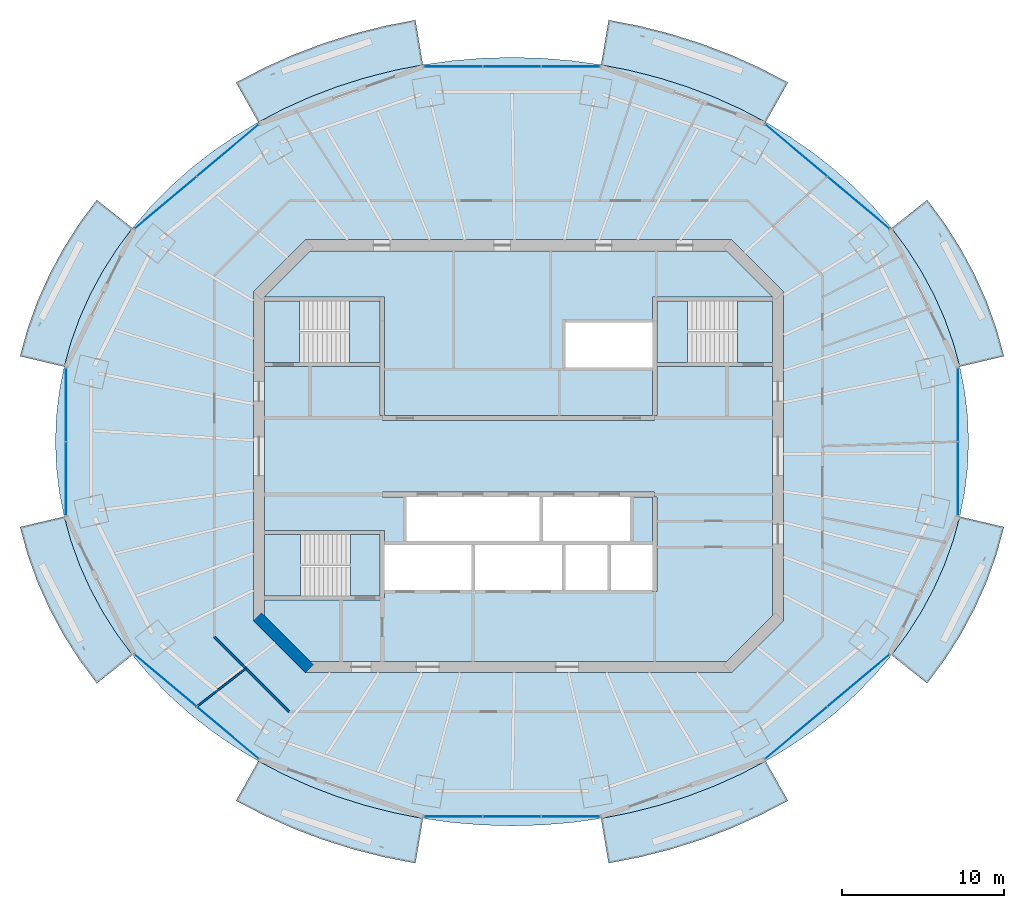
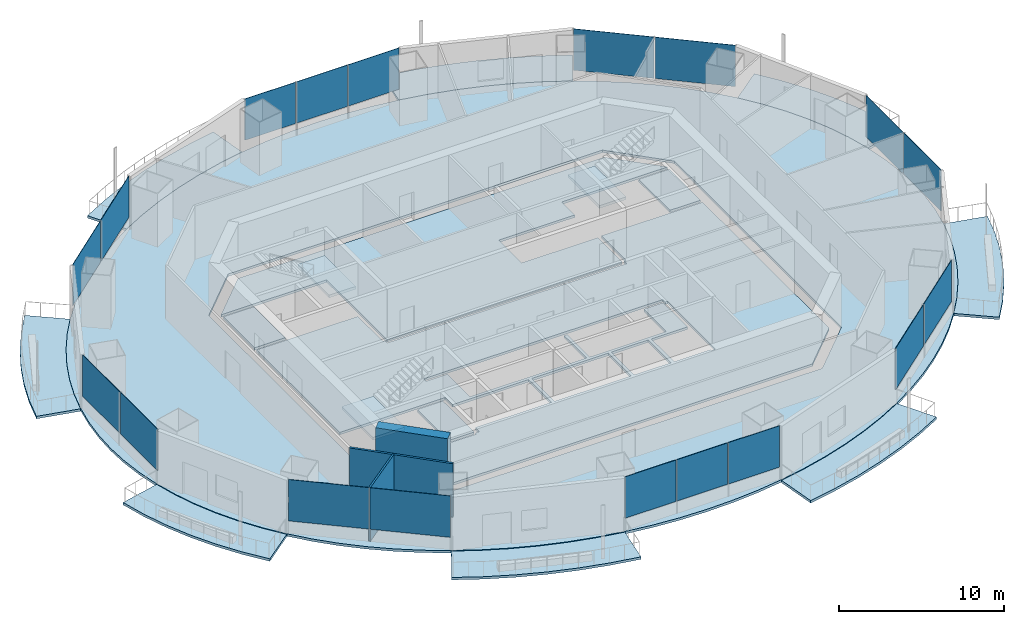
# One storey, part 7 of 16: 18 plates, 17 slabs, 3 walls, 11 elements without a shape of their own.
"""IFC4 building model written with IfcOpenShell, lengths in metres."""

from ifc_helpers import new_model, si_unit, direction, frame, frame_2d, origin, origin_2d, place, context, subcontext, project, spatial, polyline, rectangle, outline, extrude, material, layer, layer_set, type_object, element, aggregate, save


model = new_model("IFC4")

# Units and contexts
model_context = context("Model", 3, precision=1e-05, world=origin(), true_north=direction((0.0, 1.0)))
body_context = subcontext(model_context, "Body", "Model", "MODEL_VIEW")
ifc_project = project(units=[si_unit("LENGTHUNIT", "METRE"), si_unit("AREAUNIT", "SQUARE_METRE"), si_unit("VOLUMEUNIT", "CUBIC_METRE"), si_unit("PLANEANGLEUNIT", "RADIAN"), si_unit("MASSUNIT", "GRAM", prefix="KILO")], contexts=[model_context])

# Site, building, storey
site_placement = place(None, origin())
site = spatial("IfcSite", under=ifc_project, at=site_placement, CompositionType="ELEMENT")
building_placement = place(site_placement, origin())
building = spatial("IfcBuilding", under=site, at=building_placement, Name="Marenthal Gate Tower", CompositionType="ELEMENT")
storey_placement = place(building_placement, frame((0.0, 0.0, 313.550048828125)))
storey = spatial("IfcBuildingStorey", under=building, at=storey_placement, Name="L70", CompositionType="ELEMENT", Elevation=313.550048828125)

# Slabs
ifc_material_1 = material(Name="Concrete 40 MPa", Category="concrete")
ifc_layer_1 = layer(ifc_material_1, 0.179931640625)
ifc_layer_set_1 = layer_set([ifc_layer_1], Name="Balcony deck 180")
slab_type_1 = type_object("IfcSlabType", Name="Balcony deck 180", PredefinedType="USERDEFINED", material=ifc_layer_set_1)
slab_1_placement = place(storey_placement, frame((0.0, 0.0, -0.219970703125)))
element("IfcSlab", 1, at=slab_1_placement, inside=storey, type_object=slab_type_1, Name="Balcony deck L70 bay 1", ObjectType="BALCONY", PredefinedType="USERDEFINED", context=body_context, shape_type="SweptSolid", body=[
    extrude(outline(polyline([(27.212890625, 5.522216796875), (26.794677734375, 7.031982421875), (26.260009765625, 8.515380859375), (25.61083984375, 9.966552734375), (24.8505859375, 11.378662109375), (23.982177734375, 12.74609375), (23.00927734375, 14.0625), (25.201904296875, 15.8037109375), (26.291015625, 14.330078125), (27.266357421875, 12.79443359375), (28.123046875, 11.203125), (28.856689453125, 9.56298828125), (29.462646484375, 7.88134765625), (29.93798828125, 6.166259765625), (27.212890625, 5.522216796875)])), origin(), (0.0, 0.0, 1.0), 0.179931640625),
])
slab_2_placement = place(storey_placement, frame((0.0, 0.0, -0.219970703125)))
element("IfcSlab", 2, at=slab_2_placement, inside=storey, type_object=slab_type_1, Name="Balcony deck L70 bay 3", ObjectType="BALCONY", PredefinedType="USERDEFINED", context=body_context, shape_type="SweptSolid", body=[
    extrude(outline(polyline([(15.241455078125, 20.59912109375), (13.677001953125, 21.41796875), (12.05224609375, 22.148681640625), (10.3740234375, 22.78857421875), (8.64990234375, 23.334716796875), (6.88671875, 23.78466796875), (5.092529296875, 24.13671875), (5.554931640625, 26.8984375), (7.502685546875, 26.51611328125), (9.4189453125, 26.027099609375), (11.295654296875, 25.4326171875), (13.12548828125, 24.73486328125), (14.900634765625, 23.936279296875), (16.61376953125, 23.039794921875), (15.241455078125, 20.59912109375)])), origin(), (0.0, 0.0, 1.0), 0.179931640625),
])
slab_3_placement = place(storey_placement, frame((0.0, 0.0, -0.219970703125)))
element("IfcSlab", 3, at=slab_3_placement, inside=storey, type_object=slab_type_1, Name="Balcony deck L70 bay 5", ObjectType="BALCONY", PredefinedType="USERDEFINED", context=body_context, shape_type="SweptSolid", body=[
    extrude(outline(polyline([(-5.892578125, 24.13671875), (-7.686767578125, 23.78466796875), (-9.44970703125, 23.334716796875), (-11.174072265625, 22.78857421875), (-12.852294921875, 22.148681640625), (-14.47705078125, 21.41796875), (-16.04150390625, 20.59912109375), (-17.413818359375, 23.039794921875), (-15.70068359375, 23.936279296875), (-13.925537109375, 24.73486328125), (-12.095703125, 25.4326171875), (-10.21875, 26.027099609375), (-8.302734375, 26.51611328125), (-6.354736328125, 26.8984375), (-5.892578125, 24.13671875)])), origin(), (0.0, 0.0, 1.0), 0.179931640625),
])
slab_4_placement = place(storey_placement, frame((0.0, 0.0, -0.219970703125)))
element("IfcSlab", 4, at=slab_4_placement, inside=storey, type_object=slab_type_1, Name="Balcony deck L70 bay 7", ObjectType="BALCONY", PredefinedType="USERDEFINED", context=body_context, shape_type="SweptSolid", body=[
    extrude(outline(polyline([(-23.80908203125, 14.0625), (-24.781982421875, 12.74609375), (-25.650634765625, 11.378662109375), (-26.410888671875, 9.966552734375), (-27.059814453125, 8.515380859375), (-27.5947265625, 7.031982421875), (-28.012939453125, 5.522216796875), (-30.73779296875, 6.166259765625), (-30.2626953125, 7.88134765625), (-29.656494140625, 9.56298828125), (-28.923095703125, 11.203125), (-28.06640625, 12.79443359375), (-27.091064453125, 14.330078125), (-26.001953125, 15.8037109375), (-23.80908203125, 14.0625)])), origin(), (0.0, 0.0, 1.0), 0.179931640625),
])
slab_5_placement = place(storey_placement, frame((0.0, 0.0, -0.219970703125)))
element("IfcSlab", 5, at=slab_5_placement, inside=storey, type_object=slab_type_1, Name="Balcony deck L70 bay 9", ObjectType="BALCONY", PredefinedType="USERDEFINED", context=body_context, shape_type="SweptSolid", body=[
    extrude(outline(polyline([(-28.012939453125, -3.72216796875), (-27.5947265625, -5.23193359375), (-27.059814453125, -6.715576171875), (-26.410888671875, -8.16650390625), (-25.650634765625, -9.57861328125), (-24.781982421875, -10.946044921875), (-23.80908203125, -12.2626953125), (-26.001953125, -14.003662109375), (-27.091064453125, -12.530029296875), (-28.06640625, -10.994384765625), (-28.923095703125, -9.403076171875), (-29.656494140625, -7.762939453125), (-30.2626953125, -6.08154296875), (-30.73779296875, -4.3662109375), (-28.012939453125, -3.72216796875)])), origin(), (0.0, 0.0, 1.0), 0.179931640625),
])
slab_6_placement = place(storey_placement, frame((0.0, 0.0, -0.219970703125)))
element("IfcSlab", 6, at=slab_6_placement, inside=storey, type_object=slab_type_1, Name="Balcony deck L70 bay 11", ObjectType="BALCONY", PredefinedType="USERDEFINED", context=body_context, shape_type="SweptSolid", body=[
    extrude(outline(polyline([(-16.04150390625, -18.79931640625), (-14.47705078125, -19.617919921875), (-12.852294921875, -20.3486328125), (-11.174072265625, -20.988525390625), (-9.44970703125, -21.53466796875), (-7.686767578125, -21.984619140625), (-5.892578125, -22.3369140625), (-6.354736328125, -25.098388671875), (-8.302734375, -24.716064453125), (-10.21875, -24.22705078125), (-12.095703125, -23.632568359375), (-13.925537109375, -22.934814453125), (-15.70068359375, -22.136474609375), (-17.413818359375, -21.23974609375), (-16.04150390625, -18.79931640625)])), origin(), (0.0, 0.0, 1.0), 0.179931640625),
])
slab_7_placement = place(storey_placement, frame((0.0, 0.0, -0.219970703125)))
element("IfcSlab", 7, at=slab_7_placement, inside=storey, type_object=slab_type_1, Name="Balcony deck L70 bay 13", ObjectType="BALCONY", PredefinedType="USERDEFINED", context=body_context, shape_type="SweptSolid", body=[
    extrude(outline(polyline([(5.092529296875, -22.3369140625), (6.88671875, -21.984619140625), (8.64990234375, -21.53466796875), (10.3740234375, -20.988525390625), (12.05224609375, -20.3486328125), (13.677001953125, -19.617919921875), (15.241455078125, -18.79931640625), (16.61376953125, -21.23974609375), (14.900634765625, -22.136474609375), (13.12548828125, -22.934814453125), (11.295654296875, -23.632568359375), (9.4189453125, -24.22705078125), (7.502685546875, -24.716064453125), (5.554931640625, -25.098388671875), (5.092529296875, -22.3369140625)])), origin(), (0.0, 0.0, 1.0), 0.179931640625),
])
slab_8_placement = place(storey_placement, frame((0.0, 0.0, -0.219970703125)))
element("IfcSlab", 8, at=slab_8_placement, inside=storey, type_object=slab_type_1, Name="Balcony deck L70 bay 15", ObjectType="BALCONY", PredefinedType="USERDEFINED", context=body_context, shape_type="SweptSolid", body=[
    extrude(outline(polyline([(23.00927734375, -12.2626953125), (23.982177734375, -10.946044921875), (24.8505859375, -9.57861328125), (25.61083984375, -8.16650390625), (26.260009765625, -6.715576171875), (26.794677734375, -5.23193359375), (27.212890625, -3.72216796875), (29.93798828125, -4.3662109375), (29.462646484375, -6.08154296875), (28.856689453125, -7.762939453125), (28.123046875, -9.403076171875), (27.266357421875, -10.994384765625), (26.291015625, -12.530029296875), (25.201904296875, -14.003662109375), (23.00927734375, -12.2626953125)])), origin(), (0.0, 0.0, 1.0), 0.179931640625),
])
ifc_material_2 = material(Name="Concrete 50 MPa", Category="concrete")
ifc_layer_2 = layer(ifc_material_2, 0.179931640625)
ifc_layer_set_2 = layer_set([ifc_layer_2], Name="Core floor slab 180")
slab_type_2 = type_object("IfcSlabType", Name="Core floor slab 180", PredefinedType="FLOOR", material=ifc_layer_set_2)
slab_9_placement = place(storey_placement, frame((0.0, 0.0, -0.179931640625)))
element("IfcSlab", 9, at=slab_9_placement, inside=storey, type_object=slab_type_2, Name="Core floor L70", PredefinedType="FLOOR", context=body_context, shape_type="SweptSolid", body=[
    extrude(outline(polyline([(12.85498046875, -12.64990234375), (-12.85498046875, -12.64990234375), (-15.64990234375, -9.85498046875), (-15.64990234375, -8.875), (-8.550048828125, -8.875), (-8.550048828125, -8.75), (-8.25, -8.75), (-8.25, -8.239990234375), (-5.60009765625, -8.239990234375), (-2.909912109375, -8.239990234375), (-2.909912109375, -5.4599609375), (-5.60009765625, -5.4599609375), (-8.25, -5.4599609375), (-8.25, -4.574951171875), (-8.550048828125, -4.574951171875), (-15.64990234375, -4.574951171875), (-15.64990234375, 5.52490234375), (-8.550048828125, 5.52490234375), (-8.550048828125, 2.5), (-8.39990234375, 2.5), (-8.39990234375, 2.199951171875), (8.39990234375, 2.199951171875), (8.39990234375, 2.5), (8.550048828125, 2.5), (8.550048828125, 5.52490234375), (15.64990234375, 5.52490234375), (15.64990234375, -9.85498046875), (12.85498046875, -12.64990234375)]), holes=[polyline([(0.0, -8.239990234375), (2.68994140625, -8.239990234375), (2.68994140625, -5.4599609375), (0.0, -5.4599609375), (-2.68994140625, -5.4599609375), (-2.68994140625, -8.239990234375), (0.0, -8.239990234375)]), polyline([(1.2900390625, -5.239990234375), (1.2900390625, -2.5), (1.510009765625, -2.5), (1.510009765625, -5.239990234375), (4.199951171875, -5.239990234375), (6.889892578125, -5.239990234375), (6.889892578125, -2.5), (8.25, -2.5), (8.25, -5.4599609375), (5.7099609375, -5.4599609375), (5.7099609375, -8.239990234375), (8.25, -8.239990234375), (8.25, -8.35009765625), (8.550048828125, -8.35009765625), (8.550048828125, -2.5), (8.39990234375, -2.5), (8.39990234375, -2.199951171875), (-8.39990234375, -2.199951171875), (-8.39990234375, -2.5), (-6.889892578125, -2.5), (-6.889892578125, -5.239990234375), (-4.199951171875, -5.239990234375), (-1.39990234375, -5.239990234375), (1.2900390625, -5.239990234375)]), polyline([(5.489990234375, -5.4599609375), (2.909912109375, -5.4599609375), (2.909912109375, -8.239990234375), (5.489990234375, -8.239990234375), (5.489990234375, -5.4599609375)])]), origin(), (0.0, 0.0, 1.0), 0.179931640625),
])
slab_10_placement = place(storey_placement, frame((0.0, 0.0, -0.179931640625)))
element("IfcSlab", 10, at=slab_10_placement, inside=storey, type_object=slab_type_2, Name="Core floor L70", PredefinedType="FLOOR", context=body_context, shape_type="SweptSolid", body=[
    extrude(outline(polyline([(15.64990234375, 5.77490234375), (13.5, 5.77490234375), (13.5, 9.574951171875), (15.64990234375, 9.574951171875), (15.64990234375, 5.77490234375)])), origin(), (0.0, 0.0, 1.0), 0.179931640625),
])
slab_11_placement = place(storey_placement, frame((0.0, 0.0, -0.179931640625)))
element("IfcSlab", 11, at=slab_11_placement, inside=storey, type_object=slab_type_2, Name="Core floor L70", PredefinedType="FLOOR", context=body_context, shape_type="SweptSolid", body=[
    extrude(outline(polyline([(15.64990234375, 9.824951171875), (8.550048828125, 9.824951171875), (8.25, 9.824951171875), (8.25, 8.35009765625), (8.25, 8.239990234375), (5.60009765625, 8.239990234375), (2.909912109375, 8.239990234375), (2.909912109375, 5.4599609375), (5.60009765625, 5.4599609375), (8.25, 5.4599609375), (8.25, 2.5), (-8.25, 2.5), (-8.25, 8.35009765625), (-8.25, 9.824951171875), (-8.550048828125, 9.824951171875), (-15.64990234375, 9.824951171875), (-15.64990234375, 9.85498046875), (-12.85498046875, 12.64990234375), (12.85498046875, 12.64990234375), (15.64990234375, 9.85498046875), (15.64990234375, 9.824951171875)])), origin(), (0.0, 0.0, 1.0), 0.179931640625),
])
slab_12_placement = place(storey_placement, frame((0.0, 0.0, -0.179931640625)))
element("IfcSlab", 12, at=slab_12_placement, inside=storey, type_object=slab_type_2, Name="Core floor L70", PredefinedType="FLOOR", context=body_context, shape_type="SweptSolid", body=[
    extrude(outline(polyline([(-15.64990234375, 9.574951171875), (-13.5, 9.574951171875), (-13.5, 5.77490234375), (-15.64990234375, 5.77490234375), (-15.64990234375, 9.574951171875)])), origin(), (0.0, 0.0, 1.0), 0.179931640625),
])
slab_13_placement = place(storey_placement, frame((0.0, 0.0, -0.179931640625)))
element("IfcSlab", 13, at=slab_13_placement, inside=storey, type_object=slab_type_2, Name="Core floor L70", PredefinedType="FLOOR", context=body_context, shape_type="SweptSolid", body=[
    extrude(outline(polyline([(-8.550048828125, -4.824951171875), (-8.550048828125, -8.625), (-10.35009765625, -8.625), (-10.35009765625, -4.824951171875), (-8.550048828125, -4.824951171875)])), origin(), (0.0, 0.0, 1.0), 0.179931640625),
])
ifc_material_3 = material(Name="Concrete 35 MPa", Category="concrete")
ifc_layer_3 = layer(ifc_material_3, 0.179931640625)
ifc_layer_set_3 = layer_set([ifc_layer_3], Name="Floor slab 180")
slab_type_3 = type_object("IfcSlabType", Name="Floor slab 180", PredefinedType="FLOOR", material=ifc_layer_set_3)
slab_14_placement = place(storey_placement, frame((0.0, 0.0, -0.179931640625)))
element("IfcSlab", 14, at=slab_14_placement, inside=storey, type_object=slab_type_3, Name="SL-L70-01", PredefinedType="FLOOR", context=body_context, shape_type="SweptSolid", body=[
    extrude(outline(polyline([(27.75390625, 0.89990234375), (27.693603515625, 2.449462890625), (27.51318359375, 3.992431640625), (27.212890625, 5.522216796875), (26.794677734375, 7.031982421875), (26.260009765625, 8.515380859375), (25.61083984375, 9.966552734375), (24.8505859375, 11.378662109375), (23.982177734375, 12.74609375), (23.00927734375, 14.0625), (21.93603515625, 15.32275390625), (20.767333984375, 16.521240234375), (19.5078125, 17.65283203125), (18.1630859375, 18.712646484375), (16.739013671875, 19.696044921875), (15.241455078125, 20.59912109375), (13.677001953125, 21.41796875), (12.05224609375, 22.148681640625), (10.3740234375, 22.78857421875), (8.64990234375, 23.334716796875), (6.88671875, 23.78466796875), (5.092529296875, 24.13671875), (3.27490234375, 24.389404296875), (1.44140625, 24.541259765625), (-0.39990234375, 24.592041015625), (-2.241455078125, 24.541259765625), (-4.07470703125, 24.389404296875), (-5.892578125, 24.13671875), (-7.686767578125, 23.78466796875), (-9.44970703125, 23.334716796875), (-11.174072265625, 22.78857421875), (-12.852294921875, 22.148681640625), (-14.47705078125, 21.41796875), (-16.04150390625, 20.59912109375), (-17.5390625, 19.696044921875), (-18.963134765625, 18.712646484375), (-20.307861328125, 17.65283203125), (-21.5673828125, 16.521240234375), (-22.736083984375, 15.32275390625), (-23.80908203125, 14.0625), (-24.781982421875, 12.74609375), (-25.650634765625, 11.378662109375), (-26.410888671875, 9.966552734375), (-27.059814453125, 8.515380859375), (-27.5947265625, 7.031982421875), (-28.012939453125, 5.522216796875), (-28.31298828125, 3.992431640625), (-28.49365234375, 2.449462890625), (-28.553955078125, 0.89990234375), (-28.49365234375, -0.6494140625), (-28.31298828125, -2.1923828125), (-28.012939453125, -3.72216796875), (-27.5947265625, -5.23193359375), (-27.059814453125, -6.715576171875), (-26.410888671875, -8.16650390625), (-25.650634765625, -9.57861328125), (-24.781982421875, -10.946044921875), (-23.80908203125, -12.2626953125), (-22.736083984375, -13.522705078125), (-21.5673828125, -14.72119140625), (-20.307861328125, -15.852783203125), (-18.963134765625, -16.91259765625), (-17.5390625, -17.89599609375), (-16.04150390625, -18.79931640625), (-14.47705078125, -19.617919921875), (-12.852294921875, -20.3486328125), (-11.174072265625, -20.988525390625), (-9.44970703125, -21.53466796875), (-7.686767578125, -21.984619140625), (-5.892578125, -22.3369140625), (-4.07470703125, -22.58935546875), (-2.241455078125, -22.7412109375), (-0.39990234375, -22.7919921875), (1.44140625, -22.7412109375), (3.27490234375, -22.58935546875), (5.092529296875, -22.3369140625), (6.88671875, -21.984619140625), (8.64990234375, -21.53466796875), (10.3740234375, -20.988525390625), (12.05224609375, -20.3486328125), (13.677001953125, -19.617919921875), (15.241455078125, -18.79931640625), (16.739013671875, -17.89599609375), (18.1630859375, -16.91259765625), (19.5078125, -15.852783203125), (20.767333984375, -14.72119140625), (21.93603515625, -13.522705078125), (23.00927734375, -12.2626953125), (23.982177734375, -10.946044921875), (24.8505859375, -9.57861328125), (25.61083984375, -8.16650390625), (26.260009765625, -6.715576171875), (26.794677734375, -5.23193359375), (27.212890625, -3.72216796875), (27.51318359375, -2.1923828125), (27.693603515625, -0.6494140625), (27.75390625, 0.89990234375)]), holes=[polyline([(13.14501953125, -13.35009765625), (16.35009765625, -10.14501953125), (16.35009765625, 10.14501953125), (13.14501953125, 13.35009765625), (-13.14501953125, 13.35009765625), (-16.35009765625, 10.14501953125), (-16.35009765625, -10.14501953125), (-13.14501953125, -13.35009765625), (13.14501953125, -13.35009765625)])]), origin(), (0.0, 0.0, 1.0), 0.179931640625),
])

# Curtain wall, plates
ifc_material_4 = material(Name="Aluminium and glass", Category="aluminium")
curtain_wall_type = type_object("IfcCurtainWallType", Name="Curtain wall typical high", PredefinedType="NOTDEFINED", material=ifc_material_4)
curtain_wall_1_placement = place(storey_placement, origin())
curtain_wall_1 = element("IfcCurtainWall", 15, at=curtain_wall_1_placement, inside=storey, type_object=curtain_wall_type, Name="Curtain wall L70 bay 2", PredefinedType="NOTDEFINED")
ifc_material_5 = material(Name="Glass, laminated insulating unit", Category="glass")
ifc_layer_4 = layer(ifc_material_5, 0.031982421875)
ifc_layer_set_4 = layer_set([ifc_layer_4], Name="Glass panel 32 typical high")
plate_type = type_object("IfcPlateType", Name="Glass panel 32 typical high", PredefinedType="CURTAIN_PANEL", material=ifc_layer_set_4)
plate_1_placement = place(storey_placement, frame((20.96435546875, 15.63134765625, 0.89990234375), z_axis=(0.0, 0.0, 1.0), x_axis=(-0.765387011848, 0.643570293048, 0.0)))
plate_1 = element("IfcPlate", 16, at=plate_1_placement, type_object=plate_type, Name="Glass panel L70 bay 2.1", PredefinedType="CURTAIN_PANEL", context=body_context, shape_type="SweptSolid", body=[
    extrude(rectangle(XDim=4.962646484375, YDim=0.031982421875, at=origin_2d()), origin(), (0.0, 0.0, 1.0), 3.070068359375),
])
plate_2_placement = place(storey_placement, frame((17.1201171875, 18.86376953125, 0.89990234375), z_axis=(0.0, 0.0, 1.0), x_axis=(-0.765387011848, 0.643570293048, 0.0)))
plate_2 = element("IfcPlate", 17, at=plate_2_placement, type_object=plate_type, Name="Glass panel L70 bay 2.2", PredefinedType="CURTAIN_PANEL", context=body_context, shape_type="SweptSolid", body=[
    extrude(rectangle(XDim=4.962646484375, YDim=0.031982421875, at=origin_2d()), origin(), (0.0, 0.0, 1.0), 3.070068359375),
])
aggregate(curtain_wall_1, [plate_1, plate_2])

curtain_wall_2_placement = place(storey_placement, origin())
curtain_wall_2 = element("IfcCurtainWall", 18, at=curtain_wall_2_placement, inside=storey, type_object=curtain_wall_type, Name="Curtain wall L70 bay 4", PredefinedType="NOTDEFINED")
plate_3_placement = place(storey_placement, frame((3.22607421875, 24.01904296875, 0.89990234375), z_axis=(0.0, 0.0, 1.0), x_axis=(-1.0, 0.0, 0.0)))
plate_3 = element("IfcPlate", 19, at=plate_3_placement, type_object=plate_type, Name="Glass panel L70 bay 4.1", PredefinedType="CURTAIN_PANEL", context=body_context, shape_type="SweptSolid", body=[
    extrude(rectangle(XDim=3.566162109375, YDim=0.031982421875, at=origin_2d()), origin(), (0.0, 0.0, 1.0), 3.070068359375),
])
plate_4_placement = place(storey_placement, frame((-0.39990234375, 24.01904296875, 0.89990234375), z_axis=(0.0, 0.0, 1.0), x_axis=(-1.0, 0.0, 0.0)))
plate_4 = element("IfcPlate", 20, at=plate_4_placement, type_object=plate_type, Name="Glass panel L70 bay 4.2", PredefinedType="CURTAIN_PANEL", context=body_context, shape_type="SweptSolid", body=[
    extrude(rectangle(XDim=3.566162109375, YDim=0.031982421875, at=origin_2d()), origin(), (0.0, 0.0, 1.0), 3.070068359375),
])
plate_5_placement = place(storey_placement, frame((-4.026123046875, 24.01904296875, 0.89990234375), z_axis=(0.0, 0.0, 1.0), x_axis=(-1.0, 0.0, 0.0)))
plate_5 = element("IfcPlate", 21, at=plate_5_placement, type_object=plate_type, Name="Glass panel L70 bay 4.3", PredefinedType="CURTAIN_PANEL", context=body_context, shape_type="SweptSolid", body=[
    extrude(rectangle(XDim=3.566162109375, YDim=0.031982421875, at=origin_2d()), origin(), (0.0, 0.0, 1.0), 3.070068359375),
])
aggregate(curtain_wall_2, [plate_3, plate_4, plate_5])

curtain_wall_3_placement = place(storey_placement, origin())
curtain_wall_3 = element("IfcCurtainWall", 22, at=curtain_wall_3_placement, inside=storey, type_object=curtain_wall_type, Name="Curtain wall L70 bay 6", PredefinedType="NOTDEFINED")
plate_6_placement = place(storey_placement, frame((-17.919921875, 18.86376953125, 0.89990234375), z_axis=(0.0, 0.0, 1.0), x_axis=(-0.765387011848, -0.643570293048, 0.0)))
plate_6 = element("IfcPlate", 23, at=plate_6_placement, type_object=plate_type, Name="Glass panel L70 bay 6.1", PredefinedType="CURTAIN_PANEL", context=body_context, shape_type="SweptSolid", body=[
    extrude(rectangle(XDim=4.962646484375, YDim=0.031982421875, at=origin_2d()), origin(), (0.0, 0.0, 1.0), 3.070068359375),
])
plate_7_placement = place(storey_placement, frame((-21.764404296875, 15.63134765625, 0.89990234375), z_axis=(0.0, 0.0, 1.0), x_axis=(-0.765387011848, -0.643570293048, 0.0)))
plate_7 = element("IfcPlate", 24, at=plate_7_placement, type_object=plate_type, Name="Glass panel L70 bay 6.2", PredefinedType="CURTAIN_PANEL", context=body_context, shape_type="SweptSolid", body=[
    extrude(rectangle(XDim=4.962646484375, YDim=0.031982421875, at=origin_2d()), origin(), (0.0, 0.0, 1.0), 3.070068359375),
])
aggregate(curtain_wall_3, [plate_6, plate_7])

curtain_wall_4_placement = place(storey_placement, origin())
curtain_wall_4 = element("IfcCurtainWall", 25, at=curtain_wall_4_placement, inside=storey, type_object=curtain_wall_type, Name="Curtain wall L70 bay 8", PredefinedType="NOTDEFINED")
plate_8_placement = place(storey_placement, frame((-27.895263671875, 3.184326171875, 0.89990234375), z_axis=(0.0, 0.0, 1.0), x_axis=(0.0, -1.0, 0.0)))
plate_8 = element("IfcPlate", 26, at=plate_8_placement, type_object=plate_type, Name="Glass panel L70 bay 8.1", PredefinedType="CURTAIN_PANEL", context=body_context, shape_type="SweptSolid", body=[
    extrude(rectangle(XDim=4.5087890625, YDim=0.031982421875, at=origin_2d()), origin(), (0.0, 0.0, 1.0), 3.070068359375),
])
plate_9_placement = place(storey_placement, frame((-27.895263671875, -1.38427734375, 0.89990234375), z_axis=(0.0, 0.0, 1.0), x_axis=(0.0, -1.0, 0.0)))
plate_9 = element("IfcPlate", 27, at=plate_9_placement, type_object=plate_type, Name="Glass panel L70 bay 8.2", PredefinedType="CURTAIN_PANEL", context=body_context, shape_type="SweptSolid", body=[
    extrude(rectangle(XDim=4.5087890625, YDim=0.031982421875, at=origin_2d()), origin(), (0.0, 0.0, 1.0), 3.070068359375),
])
aggregate(curtain_wall_4, [plate_8, plate_9])

curtain_wall_5_placement = place(storey_placement, origin())
curtain_wall_5 = element("IfcCurtainWall", 28, at=curtain_wall_5_placement, inside=storey, type_object=curtain_wall_type, Name="Curtain wall L70 bay 10", PredefinedType="NOTDEFINED")
plate_10_placement = place(storey_placement, frame((-21.764404296875, -13.83154296875, 0.89990234375), z_axis=(0.0, 0.0, 1.0), x_axis=(0.765387011848, -0.643570293048, 0.0)))
plate_10 = element("IfcPlate", 29, at=plate_10_placement, type_object=plate_type, Name="Glass panel L70 bay 10.1", PredefinedType="CURTAIN_PANEL", context=body_context, shape_type="SweptSolid", body=[
    extrude(rectangle(XDim=4.962646484375, YDim=0.031982421875, at=origin_2d()), origin(), (0.0, 0.0, 1.0), 3.070068359375),
])
plate_11_placement = place(storey_placement, frame((-17.919921875, -17.06396484375, 0.89990234375), z_axis=(0.0, 0.0, 1.0), x_axis=(0.765387011848, -0.643570293048, 0.0)))
plate_11 = element("IfcPlate", 30, at=plate_11_placement, type_object=plate_type, Name="Glass panel L70 bay 10.2", PredefinedType="CURTAIN_PANEL", context=body_context, shape_type="SweptSolid", body=[
    extrude(rectangle(XDim=4.962646484375, YDim=0.031982421875, at=origin_2d()), origin(), (0.0, 0.0, 1.0), 3.070068359375),
])
aggregate(curtain_wall_5, [plate_10, plate_11])

curtain_wall_6_placement = place(storey_placement, origin())
curtain_wall_6 = element("IfcCurtainWall", 31, at=curtain_wall_6_placement, inside=storey, type_object=curtain_wall_type, Name="Curtain wall L70 bay 12", PredefinedType="NOTDEFINED")
plate_12_placement = place(storey_placement, frame((-4.026123046875, -22.218994140625, 0.89990234375), z_axis=(0.0, 0.0, 1.0), x_axis=(1.0, 0.0, 0.0)))
plate_12 = element("IfcPlate", 32, at=plate_12_placement, type_object=plate_type, Name="Glass panel L70 bay 12.1", PredefinedType="CURTAIN_PANEL", context=body_context, shape_type="SweptSolid", body=[
    extrude(rectangle(XDim=3.566162109375, YDim=0.031982421875, at=origin_2d()), origin(), (0.0, 0.0, 1.0), 3.070068359375),
])
plate_13_placement = place(storey_placement, frame((-0.39990234375, -22.218994140625, 0.89990234375), z_axis=(0.0, 0.0, 1.0), x_axis=(1.0, 0.0, 0.0)))
plate_13 = element("IfcPlate", 33, at=plate_13_placement, type_object=plate_type, Name="Glass panel L70 bay 12.2", PredefinedType="CURTAIN_PANEL", context=body_context, shape_type="SweptSolid", body=[
    extrude(rectangle(XDim=3.566162109375, YDim=0.031982421875, at=origin_2d()), origin(), (0.0, 0.0, 1.0), 3.070068359375),
])
plate_14_placement = place(storey_placement, frame((3.22607421875, -22.218994140625, 0.89990234375), z_axis=(0.0, 0.0, 1.0), x_axis=(1.0, 0.0, 0.0)))
plate_14 = element("IfcPlate", 34, at=plate_14_placement, type_object=plate_type, Name="Glass panel L70 bay 12.3", PredefinedType="CURTAIN_PANEL", context=body_context, shape_type="SweptSolid", body=[
    extrude(rectangle(XDim=3.566162109375, YDim=0.031982421875, at=origin_2d()), origin(), (0.0, 0.0, 1.0), 3.070068359375),
])
aggregate(curtain_wall_6, [plate_12, plate_13, plate_14])

curtain_wall_7_placement = place(storey_placement, origin())
curtain_wall_7 = element("IfcCurtainWall", 35, at=curtain_wall_7_placement, inside=storey, type_object=curtain_wall_type, Name="Curtain wall L70 bay 14", PredefinedType="NOTDEFINED")
plate_15_placement = place(storey_placement, frame((17.1201171875, -17.06396484375, 0.89990234375), z_axis=(0.0, 0.0, 1.0), x_axis=(0.765387011848, 0.643570293048, 0.0)))
plate_15 = element("IfcPlate", 36, at=plate_15_placement, type_object=plate_type, Name="Glass panel L70 bay 14.1", PredefinedType="CURTAIN_PANEL", context=body_context, shape_type="SweptSolid", body=[
    extrude(rectangle(XDim=4.962646484375, YDim=0.031982421875, at=origin_2d()), origin(), (0.0, 0.0, 1.0), 3.070068359375),
])
plate_16_placement = place(storey_placement, frame((20.96435546875, -13.83154296875, 0.89990234375), z_axis=(0.0, 0.0, 1.0), x_axis=(0.765387011848, 0.643570293048, 0.0)))
plate_16 = element("IfcPlate", 37, at=plate_16_placement, type_object=plate_type, Name="Glass panel L70 bay 14.2", PredefinedType="CURTAIN_PANEL", context=body_context, shape_type="SweptSolid", body=[
    extrude(rectangle(XDim=4.962646484375, YDim=0.031982421875, at=origin_2d()), origin(), (0.0, 0.0, 1.0), 3.070068359375),
])
aggregate(curtain_wall_7, [plate_15, plate_16])

curtain_wall_8_placement = place(storey_placement, origin())
curtain_wall_8 = element("IfcCurtainWall", 38, at=curtain_wall_8_placement, inside=storey, type_object=curtain_wall_type, Name="Curtain wall L70 bay 16", PredefinedType="NOTDEFINED")
plate_17_placement = place(storey_placement, frame((27.09521484375, -1.38427734375, 0.89990234375), z_axis=(0.0, 0.0, 1.0), x_axis=(0.0, 1.0, 0.0)))
plate_17 = element("IfcPlate", 39, at=plate_17_placement, type_object=plate_type, Name="Glass panel L70 bay 16.1", PredefinedType="CURTAIN_PANEL", context=body_context, shape_type="SweptSolid", body=[
    extrude(rectangle(XDim=4.5087890625, YDim=0.031982421875, at=origin_2d()), origin(), (0.0, 0.0, 1.0), 3.070068359375),
])
plate_18_placement = place(storey_placement, frame((27.09521484375, 3.184326171875, 0.89990234375), z_axis=(0.0, 0.0, 1.0), x_axis=(0.0, 1.0, 0.0)))
plate_18 = element("IfcPlate", 40, at=plate_18_placement, type_object=plate_type, Name="Glass panel L70 bay 16.2", PredefinedType="CURTAIN_PANEL", context=body_context, shape_type="SweptSolid", body=[
    extrude(rectangle(XDim=4.5087890625, YDim=0.031982421875, at=origin_2d()), origin(), (0.0, 0.0, 1.0), 3.070068359375),
])
aggregate(curtain_wall_8, [plate_17, plate_18])

# Stair, slab
ifc_material_6 = material(Name="Concrete 40 MPa", Category="concrete")
stair_type = type_object("IfcStairType", Name="Exit stair 1800", PredefinedType="HALF_TURN_STAIR", material=ifc_material_6)
stair_1_placement = place(storey_placement, origin())
stair_1 = element("IfcStair", 41, at=stair_1_placement, inside=storey, type_object=stair_type, Name="Stair ST1", PredefinedType="HALF_TURN_STAIR")
ifc_material_7 = material(Name="Concrete 40 MPa", Category="concrete")
ifc_layer_5 = layer(ifc_material_7, 0.199951171875)
ifc_layer_set_5 = layer_set([ifc_layer_5], Name="Stair landing 200")
slab_type_4 = type_object("IfcSlabType", Name="Stair landing 200", PredefinedType="LANDING", material=ifc_layer_set_5)
slab_15_placement = place(storey_placement, frame((0.0, 0.0, 1.875)))
slab_15 = element("IfcSlab", 42, at=slab_15_placement, type_object=slab_type_4, Name="ST1 landing 1", PredefinedType="LANDING", context=body_context, shape_type="SweptSolid", body=[
    extrude(outline(polyline([(-10.419921875, 5.77490234375), (-8.550048828125, 5.77490234375), (-8.550048828125, 9.574951171875), (-10.419921875, 9.574951171875), (-10.419921875, 5.77490234375)])), origin(), (0.0, 0.0, 1.0), 0.199951171875),
])
aggregate(stair_1, [slab_15])

stair_2_placement = place(storey_placement, origin())
stair_2 = element("IfcStair", 43, at=stair_2_placement, inside=storey, type_object=stair_type, Name="Stair ST2", PredefinedType="HALF_TURN_STAIR")
slab_16_placement = place(storey_placement, frame((0.0, 0.0, 1.875)))
slab_16 = element("IfcSlab", 44, at=slab_16_placement, type_object=slab_type_4, Name="ST2 landing 1", PredefinedType="LANDING", context=body_context, shape_type="SweptSolid", body=[
    extrude(outline(polyline([(-15.64990234375, -8.625), (-13.429931640625, -8.625), (-13.429931640625, -4.824951171875), (-15.64990234375, -4.824951171875), (-15.64990234375, -8.625)])), origin(), (0.0, 0.0, 1.0), 0.199951171875),
])
aggregate(stair_2, [slab_16])

stair_3_placement = place(storey_placement, origin())
stair_3 = element("IfcStair", 45, at=stair_3_placement, inside=storey, type_object=stair_type, Name="Stair ST3", PredefinedType="HALF_TURN_STAIR")
slab_17_placement = place(storey_placement, frame((0.0, 0.0, 1.875)))
slab_17 = element("IfcSlab", 46, at=slab_17_placement, type_object=slab_type_4, Name="ST3 landing 1", PredefinedType="LANDING", context=body_context, shape_type="SweptSolid", body=[
    extrude(outline(polyline([(8.550048828125, 5.77490234375), (10.419921875, 5.77490234375), (10.419921875, 9.574951171875), (8.550048828125, 9.574951171875), (8.550048828125, 5.77490234375)])), origin(), (0.0, 0.0, 1.0), 0.199951171875),
])
aggregate(stair_3, [slab_17])

# Walls
ifc_material_8 = material(Name="Concrete 60 MPa", Category="concrete")
ifc_layer_6 = layer(ifc_material_8, 0.699951171875)
ifc_layer_set_6 = layer_set([ifc_layer_6], Name="Core shear wall 700")
wall_type_1 = type_object("IfcWallType", Name="Core shear wall 700", PredefinedType="SHEAR", material=ifc_layer_set_6)
wall_1_placement = place(storey_placement, frame((-16.1025390625, -9.8974609375, -0.179931640625), z_axis=(0.0, 0.0, 1.0), x_axis=(0.707106781187, -0.707106781187, 0.0)))
element("IfcWall", 47, at=wall_1_placement, inside=storey, type_object=wall_type_1, Name="Core wall 07", PredefinedType="SHEAR", context=body_context, shape_type="SweptSolid", body=[
    extrude(rectangle(XDim=4.53271484375, YDim=0.699951171875, at=frame_2d((2.266357421875, 0.0))), origin(), (0.0, 0.0, 1.0), 4.14990234375),
])
ifc_material_9 = material(Name="Gypsum board on steel studs", Category="steel")
ifc_layer_7 = layer(ifc_material_9, 0.1201171875)
ifc_layer_set_7 = layer_set([ifc_layer_7], Name="Partition 120")
wall_type_2 = type_object("IfcWallType", Name="Partition 120", PredefinedType="PARTITIONING", material=ifc_layer_set_7)
wall_2_placement = place(storey_placement, frame((-16.805419921875, -13.08349609375, 0.0), z_axis=(0.0, 0.0, 1.0), x_axis=(-0.789044686995, -0.614335805504, 0.0)))
element("IfcWall", 48, at=wall_2_placement, inside=storey, type_object=wall_type_2, Name="Partition wall 54", PredefinedType="PARTITIONING", context=body_context, shape_type="SweptSolid", body=[
    extrude(rectangle(XDim=3.848388671875, YDim=0.1201171875, at=frame_2d((1.92431640625, 0.0))), origin(), (0.0, 0.0, 1.0), 3.969970703125),
])
ifc_material_10 = material(Name="Gypsum board on steel studs", Category="steel")
ifc_layer_8 = layer(ifc_material_10, 0.14990234375)
ifc_layer_set_8 = layer_set([ifc_layer_8], Name="Partition 150")
wall_type_3 = type_object("IfcWallType", Name="Partition 150", PredefinedType="PARTITIONING", material=ifc_layer_set_8)
wall_3_placement = place(storey_placement, frame((-14.13916015625, -15.75, 0.0), z_axis=(0.0, 0.0, 1.0), x_axis=(-0.707106781187, 0.707106781187, 0.0)))
element("IfcWall", 49, at=wall_3_placement, inside=storey, type_object=wall_type_3, Name="Partition wall 55", PredefinedType="PARTITIONING", context=body_context, shape_type="SweptSolid", body=[
    extrude(rectangle(XDim=6.520751953125, YDim=0.14990234375, at=frame_2d((3.26025390625, 0.0))), origin(), (0.0, 0.0, 1.0), 3.969970703125),
])

save(model, "model.ifc")
